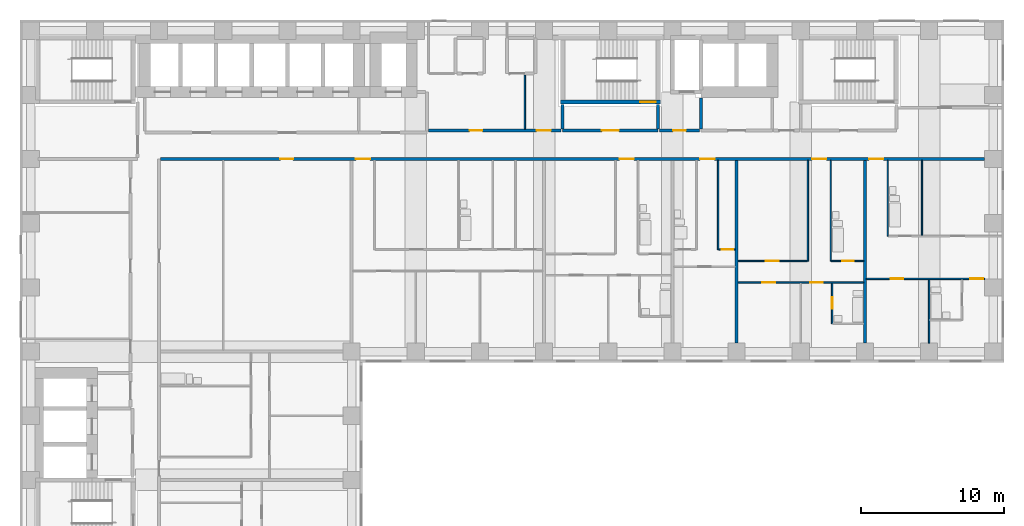
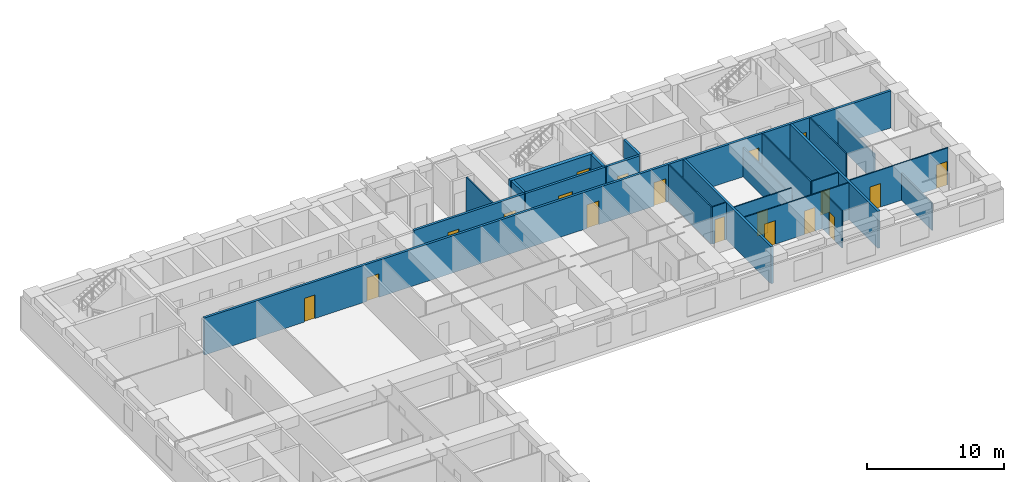
# One storey, part 7 of 12: 23 walls, 19 doors, 19 openings.
"""IFC4 building model written with IfcOpenShell, lengths in metres."""

from ifc_helpers import new_model, si_unit, direction, frame, frame_2d, origin, place, context, subcontext, project, spatial, rectangle, extrude, material, layer, layer_set, type_object, element, fill, save


model = new_model("IFC4")

# Units and contexts
model_context = context("Model", 3, precision=1e-05, world=origin(), true_north=direction((0.0, 1.0)))
body_context = subcontext(model_context, "Body", "Model", "MODEL_VIEW")
ifc_project = project(units=[si_unit("LENGTHUNIT", "METRE"), si_unit("AREAUNIT", "SQUARE_METRE"), si_unit("VOLUMEUNIT", "CUBIC_METRE"), si_unit("PLANEANGLEUNIT", "RADIAN"), si_unit("MASSUNIT", "GRAM", prefix="KILO")], contexts=[model_context])

# Site, building, storey
site_placement = place(None, origin())
site = spatial("IfcSite", under=ifc_project, at=site_placement, CompositionType="ELEMENT")
building_placement = place(site_placement, origin())
building = spatial("IfcBuilding", under=site, at=building_placement, Name="Firuza Court", CompositionType="ELEMENT")
storey_placement = place(building_placement, frame((0.0, 0.0, 65.0)))
storey = spatial("IfcBuildingStorey", under=building, at=storey_placement, Name="L15", CompositionType="ELEMENT", Elevation=65.0)

# Wall, opening, door
ifc_material_1 = material(Name="Moisture-resistant gypsum board partition")
ifc_layer_1 = layer(ifc_material_1, 0.10009765625)
ifc_layer_set_1 = layer_set([ifc_layer_1], Name="Moisture-resistant gypsum board partition")
wall_type_1 = type_object("IfcWallType", Name="Bathroom partition 100", PredefinedType="PLUMBINGWALL", material=ifc_layer_set_1)
wall_1_placement = place(storey_placement, frame((56.199951171875, 37.949951171875, 0.0), z_axis=(0.0, 0.0, 1.0), x_axis=(0.0, 1.0, 0.0)))
wall_1 = element("IfcWall", 1, at=wall_1_placement, inside=storey, type_object=wall_type_1, Name="Bathroom partition 100 L15", PredefinedType="PLUMBINGWALL", context=body_context, shape_type="SweptSolid", body=[
    extrude(rectangle(XDim=2.85009765625, YDim=0.10009765625, at=frame_2d((1.425048828125, 0.0))), origin(), (0.0, 0.0, 1.0), 3.300048828125),
])
opening_1_placement = place(wall_1_placement, frame((1.050048828125, 0.0, 0.0)))
opening_1 = element("IfcOpeningElement", 2, at=opening_1_placement, cuts=wall_1, Name="Opening D15044", PredefinedType="OPENING", context=body_context, shape_type="SweptSolid", body=[
    extrude(rectangle(XDim=0.800048828125, YDim=2.10009765625, at=frame_2d((0.39990234375, 1.050048828125))), frame((0.0, 0.06201171875, 0.0), z_axis=(0.0, -1.0, 0.0), x_axis=(1.0, 0.0, 0.0)), (0.0, 0.0, 1.0), 0.1240234375),
])
ifc_material_2 = material(Name="Timber door leaf in hardwood frame", Category="wood")
door_type_1 = type_object("IfcDoorType", Name="Bathroom door 800", OperationType="SINGLE_SWING_LEFT", PredefinedType="DOOR", material=ifc_material_2)
door_1_placement = place(opening_1_placement, frame((0.800048828125, 0.0, 0.0), z_axis=(0.0, 0.0, 1.0), x_axis=(-1.0, 0.0, 0.0)))
door_1 = element("IfcDoor", 3, at=door_1_placement, inside=storey, type_object=door_type_1, Name="En-suite door", OperationType="SINGLE_SWING_RIGHT", OverallHeight=2.10009765625, OverallWidth=0.800048828125, PredefinedType="DOOR", context=body_context, shape_type="SweptSolid", body=[
    extrude(rectangle(XDim=0.800048828125, YDim=2.10009765625, at=frame_2d((0.39990234375, 1.050048828125))), frame((0.0, 0.02490234375, 0.0), z_axis=(0.0, -1.0, 0.0), x_axis=(1.0, 0.0, 0.0)), (0.0, 0.0, 1.0), 0.050048828125),
])
fill(opening_1, door_1)

# Walls
wall_2_placement = place(storey_placement, frame((56.10009765625, 42.35009765625, 0.0), z_axis=(0.0, 0.0, 1.0), x_axis=(0.0, 1.0, 0.0)))
element("IfcWall", 4, at=wall_2_placement, inside=storey, type_object=wall_type_1, Name="Bathroom partition 100 L15", PredefinedType="PLUMBINGWALL", context=body_context, shape_type="SweptSolid", body=[
    extrude(rectangle(XDim=7.0498046875, YDim=0.10009765625, at=frame_2d((3.52490234375, 0.0))), origin(), (0.0, 0.0, 1.0), 3.300048828125),
])
wall_3_placement = place(storey_placement, frame((60.10009765625, 44.10009765625, 0.0), z_axis=(0.0, 0.0, 1.0), x_axis=(0.0, 1.0, 0.0)))
element("IfcWall", 5, at=wall_3_placement, inside=storey, type_object=wall_type_1, Name="Bathroom partition 100 L15", PredefinedType="PLUMBINGWALL", context=body_context, shape_type="SweptSolid", body=[
    extrude(rectangle(XDim=5.2998046875, YDim=0.10009765625, at=frame_2d((2.64990234375, 0.0))), origin(), (0.0, 0.0, 1.0), 3.300048828125),
])
wall_4_placement = place(storey_placement, frame((62.5, 44.14990234375, 0.0), z_axis=(0.0, 0.0, 1.0), x_axis=(0.0, 1.0, 0.0)))
element("IfcWall", 6, at=wall_4_placement, inside=storey, type_object=wall_type_1, Name="Bathroom partition 100 L15", PredefinedType="PLUMBINGWALL", context=body_context, shape_type="SweptSolid", body=[
    extrude(rectangle(XDim=5.25, YDim=0.10009765625, at=frame_2d((2.625, 0.0))), origin(), (0.0, 0.0, 1.0), 2.39990234375),
])

# Wall, opening, door
ifc_material_3 = material(Name="Concrete C60/75", Category="concrete")
ifc_layer_2 = layer(ifc_material_3, 0.300048828125)
ifc_layer_set_2 = layer_set([ifc_layer_2], Name="Concrete C60/75")
wall_type_2 = type_object("IfcWallType", Name="Core wall 300 C60/75", PredefinedType="SHEAR", material=ifc_layer_set_2)
wall_5_placement = place(storey_placement, frame((37.14990234375, 53.5, -0.300048828125), z_axis=(0.0, 0.0, 1.0), x_axis=(1.0, 0.0, 0.0)))
wall_5 = element("IfcWall", 7, at=wall_5_placement, inside=storey, type_object=wall_type_2, Name="Core wall stair L15", PredefinedType="SHEAR", context=body_context, shape_type="SweptSolid", body=[
    extrude(rectangle(XDim=7.0, YDim=0.300048828125, at=frame_2d((3.5, 0.0))), origin(), (0.0, 0.0, 1.0), 3.60009765625),
])
opening_2_placement = place(wall_5_placement, frame((5.580078125, 0.0, 0.300048828125)))
opening_2 = element("IfcOpeningElement", 8, at=opening_2_placement, cuts=wall_5, Name="Opening D15013", PredefinedType="OPENING", context=body_context, shape_type="SweptSolid", body=[
    extrude(rectangle(XDim=1.10009765625, YDim=2.10009765625, at=frame_2d((0.550048828125, 1.050048828125))), frame((0.0, 0.162109375, 0.0), z_axis=(0.0, -1.0, 0.0), x_axis=(1.0, 0.0, 0.0)), (0.0, 0.0, 1.0), 0.323974609375),
])
ifc_material_4 = material(Name="Timber door leaf in hardwood frame", Category="wood")
door_type_2 = type_object("IfcDoorType", Name="Stair door 1100", OperationType="SINGLE_SWING_LEFT", PredefinedType="DOOR", material=ifc_material_4)
door_2_placement = place(opening_2_placement, origin())
door_2 = element("IfcDoor", 9, at=door_2_placement, inside=storey, type_object=door_type_2, Name="Stair door S1", OperationType="SINGLE_SWING_RIGHT", OverallHeight=2.10009765625, OverallWidth=1.10009765625, PredefinedType="DOOR", context=body_context, shape_type="SweptSolid", body=[
    extrude(rectangle(XDim=1.10009765625, YDim=2.10009765625, at=frame_2d((0.550048828125, 1.050048828125))), frame((0.0, 0.02490234375, 0.0), z_axis=(0.0, -1.0, 0.0), x_axis=(1.0, 0.0, 0.0)), (0.0, 0.0, 1.0), 0.050048828125),
])
fill(opening_2, door_2)

# Wall, openings, doors
ifc_material_5 = material(Name="Blockwork, plastered both sides", Category="masonry")
ifc_layer_3 = layer(ifc_material_5, 0.199951171875)
ifc_layer_set_3 = layer_set([ifc_layer_3], Name="Blockwork, plastered both sides")
wall_type_3 = type_object("IfcWallType", Name="Corridor wall 200", PredefinedType="PARTITIONING", material=ifc_layer_set_3)
wall_6_placement = place(storey_placement, frame((9.10009765625, 49.5, 0.0), z_axis=(0.0, 0.0, 1.0), x_axis=(1.0, 0.0, 0.0)))
wall_6 = element("IfcWall", 10, at=wall_6_placement, inside=storey, type_object=wall_type_3, Name="Corridor wall 200 L15", PredefinedType="PARTITIONING", context=body_context, shape_type="SweptSolid", body=[
    extrude(rectangle(XDim=57.7998046875, YDim=0.199951171875, at=frame_2d((28.89990234375, 0.0))), origin(), (0.0, 0.0, 1.0), 3.300048828125),
])
opening_3_placement = place(wall_6_placement, frame((13.699951171875, 0.0, 0.0)))
opening_3 = element("IfcOpeningElement", 11, at=opening_3_placement, cuts=wall_6, Name="Opening D15069", PredefinedType="OPENING", context=body_context, shape_type="SweptSolid", body=[
    extrude(rectangle(XDim=1.0, YDim=2.10009765625, at=frame_2d((0.5, 1.050048828125))), frame((0.0, 0.11181640625, 0.0), z_axis=(0.0, -1.0, 0.0), x_axis=(1.0, 0.0, 0.0)), (0.0, 0.0, 1.0), 0.223876953125),
])
opening_4_placement = place(wall_6_placement, frame((32.199951171875, 0.0, 0.0)))
opening_4 = element("IfcOpeningElement", 12, at=opening_4_placement, cuts=wall_6, Name="Opening D15070", PredefinedType="OPENING", context=body_context, shape_type="SweptSolid", body=[
    extrude(rectangle(XDim=1.0, YDim=2.10009765625, at=frame_2d((0.5, 1.050048828125))), frame((0.0, 0.11181640625, 0.0), z_axis=(0.0, -1.0, 0.0), x_axis=(1.0, 0.0, 0.0)), (0.0, 0.0, 1.0), 0.223876953125),
])
opening_5_placement = place(wall_6_placement, frame((37.85009765625, 0.0, 0.0)))
opening_5 = element("IfcOpeningElement", 13, at=opening_5_placement, cuts=wall_6, Name="Opening D15071", PredefinedType="OPENING", context=body_context, shape_type="SweptSolid", body=[
    extrude(rectangle(XDim=1.0, YDim=2.10009765625, at=frame_2d((0.5, 1.050048828125))), frame((0.0, 0.11181640625, 0.0), z_axis=(0.0, -1.0, 0.0), x_axis=(1.0, 0.0, 0.0)), (0.0, 0.0, 1.0), 0.223876953125),
])
opening_6_placement = place(wall_6_placement, frame((45.699951171875, 0.0, 0.0)))
opening_6 = element("IfcOpeningElement", 14, at=opening_6_placement, cuts=wall_6, Name="Opening D15072", PredefinedType="OPENING", context=body_context, shape_type="SweptSolid", body=[
    extrude(rectangle(XDim=1.0, YDim=2.10009765625, at=frame_2d((0.5, 1.050048828125))), frame((0.0, 0.11181640625, 0.0), z_axis=(0.0, -1.0, 0.0), x_axis=(1.0, 0.0, 0.0)), (0.0, 0.0, 1.0), 0.223876953125),
])
opening_7_placement = place(wall_6_placement, frame((49.699951171875, 0.0, 0.0)))
opening_7 = element("IfcOpeningElement", 15, at=opening_7_placement, cuts=wall_6, Name="Opening D15073", PredefinedType="OPENING", context=body_context, shape_type="SweptSolid", body=[
    extrude(rectangle(XDim=1.0, YDim=2.10009765625, at=frame_2d((0.5, 1.050048828125))), frame((0.0, 0.11181640625, 0.0), z_axis=(0.0, -1.0, 0.0), x_axis=(1.0, 0.0, 0.0)), (0.0, 0.0, 1.0), 0.223876953125),
])
opening_8_placement = place(wall_6_placement, frame((8.39990234375, 0.0, 0.0)))
opening_8 = element("IfcOpeningElement", 16, at=opening_8_placement, cuts=wall_6, Name="Opening D15074", PredefinedType="OPENING", context=body_context, shape_type="SweptSolid", body=[
    extrude(rectangle(XDim=0.89990234375, YDim=2.10009765625, at=frame_2d((0.449951171875, 1.050048828125))), frame((0.0, 0.11181640625, 0.0), z_axis=(0.0, -1.0, 0.0), x_axis=(1.0, 0.0, 0.0)), (0.0, 0.0, 1.0), 0.223876953125),
])
ifc_material_6 = material(Name="Timber door leaf in hardwood frame", Category="wood")
door_type_3 = type_object("IfcDoorType", Name="Flat entrance door 1000", OperationType="SINGLE_SWING_LEFT", PredefinedType="DOOR", material=ifc_material_6)
door_3_placement = place(opening_3_placement, origin())
door_3 = element("IfcDoor", 17, at=door_3_placement, inside=storey, type_object=door_type_3, Name="Flat entrance door", OperationType="SINGLE_SWING_LEFT", OverallHeight=2.10009765625, OverallWidth=1.0, PredefinedType="DOOR", context=body_context, shape_type="SweptSolid", body=[
    extrude(rectangle(XDim=1.0, YDim=2.10009765625, at=frame_2d((0.5, 1.050048828125))), frame((0.0, 0.02490234375, 0.0), z_axis=(0.0, -1.0, 0.0), x_axis=(1.0, 0.0, 0.0)), (0.0, 0.0, 1.0), 0.050048828125),
])
fill(opening_3, door_3)
door_4_placement = place(opening_4_placement, origin())
door_4 = element("IfcDoor", 18, at=door_4_placement, inside=storey, type_object=door_type_3, Name="Flat entrance door", OperationType="SINGLE_SWING_LEFT", OverallHeight=2.10009765625, OverallWidth=1.0, PredefinedType="DOOR", context=body_context, shape_type="SweptSolid", body=[
    extrude(rectangle(XDim=1.0, YDim=2.10009765625, at=frame_2d((0.5, 1.050048828125))), frame((0.0, 0.02490234375, 0.0), z_axis=(0.0, -1.0, 0.0), x_axis=(1.0, 0.0, 0.0)), (0.0, 0.0, 1.0), 0.050048828125),
])
fill(opening_4, door_4)
door_5_placement = place(opening_5_placement, origin())
door_5 = element("IfcDoor", 19, at=door_5_placement, inside=storey, type_object=door_type_3, Name="Flat entrance door", OperationType="SINGLE_SWING_LEFT", OverallHeight=2.10009765625, OverallWidth=1.0, PredefinedType="DOOR", context=body_context, shape_type="SweptSolid", body=[
    extrude(rectangle(XDim=1.0, YDim=2.10009765625, at=frame_2d((0.5, 1.050048828125))), frame((0.0, 0.02490234375, 0.0), z_axis=(0.0, -1.0, 0.0), x_axis=(1.0, 0.0, 0.0)), (0.0, 0.0, 1.0), 0.050048828125),
])
fill(opening_5, door_5)
door_6_placement = place(opening_6_placement, origin())
door_6 = element("IfcDoor", 20, at=door_6_placement, inside=storey, type_object=door_type_3, Name="Flat entrance door", OperationType="SINGLE_SWING_LEFT", OverallHeight=2.10009765625, OverallWidth=1.0, PredefinedType="DOOR", context=body_context, shape_type="SweptSolid", body=[
    extrude(rectangle(XDim=1.0, YDim=2.10009765625, at=frame_2d((0.5, 1.050048828125))), frame((0.0, 0.02490234375, 0.0), z_axis=(0.0, -1.0, 0.0), x_axis=(1.0, 0.0, 0.0)), (0.0, 0.0, 1.0), 0.050048828125),
])
fill(opening_6, door_6)
door_7_placement = place(opening_7_placement, origin())
door_7 = element("IfcDoor", 21, at=door_7_placement, inside=storey, type_object=door_type_3, Name="Flat entrance door", OperationType="SINGLE_SWING_LEFT", OverallHeight=2.10009765625, OverallWidth=1.0, PredefinedType="DOOR", context=body_context, shape_type="SweptSolid", body=[
    extrude(rectangle(XDim=1.0, YDim=2.10009765625, at=frame_2d((0.5, 1.050048828125))), frame((0.0, 0.02490234375, 0.0), z_axis=(0.0, -1.0, 0.0), x_axis=(1.0, 0.0, 0.0)), (0.0, 0.0, 1.0), 0.050048828125),
])
fill(opening_7, door_7)
ifc_material_7 = material(Name="Timber door leaf in hardwood frame", Category="wood")
door_type_4 = type_object("IfcDoorType", Name="Room door 900 EI 30", OperationType="SINGLE_SWING_LEFT", PredefinedType="DOOR", material=ifc_material_7)
door_8_placement = place(opening_8_placement, origin())
door_8 = element("IfcDoor", 22, at=door_8_placement, inside=storey, type_object=door_type_4, Name="Residents' lounge door", OperationType="SINGLE_SWING_LEFT", OverallHeight=2.10009765625, OverallWidth=0.89990234375, PredefinedType="DOOR", context=body_context, shape_type="SweptSolid", body=[
    extrude(rectangle(XDim=0.89990234375, YDim=2.10009765625, at=frame_2d((0.449951171875, 1.050048828125))), frame((0.0, 0.02490234375, 0.0), z_axis=(0.0, -1.0, 0.0), x_axis=(1.0, 0.0, 0.0)), (0.0, 0.0, 1.0), 0.050048828125),
])
fill(opening_8, door_8)

wall_7_placement = place(storey_placement, frame((27.89990234375, 51.5, 0.0), z_axis=(0.0, 0.0, 1.0), x_axis=(1.0, 0.0, 0.0)))
wall_7 = element("IfcWall", 23, at=wall_7_placement, inside=storey, type_object=wall_type_3, Name="Corridor wall 200 L15", PredefinedType="PARTITIONING", context=body_context, shape_type="SweptSolid", body=[
    extrude(rectangle(XDim=9.300048828125, YDim=0.199951171875, at=frame_2d((4.64990234375, 0.0))), origin(), (0.0, 0.0, 1.0), 3.300048828125),
])
opening_9_placement = place(wall_7_placement, frame((2.875, 0.0, 0.0)))
opening_9 = element("IfcOpeningElement", 24, at=opening_9_placement, cuts=wall_7, Name="Opening D15075", PredefinedType="OPENING", context=body_context, shape_type="SweptSolid", body=[
    extrude(rectangle(XDim=0.89990234375, YDim=2.10009765625, at=frame_2d((0.449951171875, 1.050048828125))), frame((0.0, 0.11181640625, 0.0), z_axis=(0.0, -1.0, 0.0), x_axis=(1.0, 0.0, 0.0)), (0.0, 0.0, 1.0), 0.223876953125),
])
opening_10_placement = place(wall_7_placement, frame((7.574951171875, 0.0, 0.0)))
opening_10 = element("IfcOpeningElement", 25, at=opening_10_placement, cuts=wall_7, Name="Opening D15076", PredefinedType="OPENING", context=body_context, shape_type="SweptSolid", body=[
    extrude(rectangle(XDim=1.0, YDim=2.10009765625, at=frame_2d((0.5, 1.050048828125))), frame((0.0, 0.11181640625, 0.0), z_axis=(0.0, -1.0, 0.0), x_axis=(1.0, 0.0, 0.0)), (0.0, 0.0, 1.0), 0.223876953125),
])
door_9_placement = place(opening_9_placement, origin())
door_9 = element("IfcDoor", 26, at=door_9_placement, inside=storey, type_object=door_type_4, Name="Meeting room door", OperationType="SINGLE_SWING_LEFT", OverallHeight=2.10009765625, OverallWidth=0.89990234375, PredefinedType="DOOR", context=body_context, shape_type="SweptSolid", body=[
    extrude(rectangle(XDim=0.89990234375, YDim=2.10009765625, at=frame_2d((0.449951171875, 1.050048828125))), frame((0.0, 0.02490234375, 0.0), z_axis=(0.0, -1.0, 0.0), x_axis=(1.0, 0.0, 0.0)), (0.0, 0.0, 1.0), 0.050048828125),
])
fill(opening_9, door_9)
ifc_material_8 = material(Name="Timber door leaf in hardwood frame", Category="wood")
door_type_5 = type_object("IfcDoorType", Name="Store door 1000", OperationType="SINGLE_SWING_LEFT", PredefinedType="DOOR", material=ifc_material_8)
door_10_placement = place(opening_10_placement, origin())
door_10 = element("IfcDoor", 27, at=door_10_placement, inside=storey, type_object=door_type_5, Name="Cleaner's store door", OperationType="SINGLE_SWING_LEFT", OverallHeight=2.10009765625, OverallWidth=1.0, PredefinedType="DOOR", context=body_context, shape_type="SweptSolid", body=[
    extrude(rectangle(XDim=1.0, YDim=2.10009765625, at=frame_2d((0.5, 1.050048828125))), frame((0.0, 0.02490234375, 0.0), z_axis=(0.0, -1.0, 0.0), x_axis=(1.0, 0.0, 0.0)), (0.0, 0.0, 1.0), 0.050048828125),
])
fill(opening_10, door_10)

# Wall, opening, door
wall_8_placement = place(storey_placement, frame((44.10009765625, 51.5, 0.0), z_axis=(0.0, 0.0, 1.0), x_axis=(1.0, 0.0, 0.0)))
wall_8 = element("IfcWall", 28, at=wall_8_placement, inside=storey, type_object=wall_type_3, Name="Corridor wall 200 L15", PredefinedType="PARTITIONING", context=body_context, shape_type="SweptSolid", body=[
    extrude(rectangle(XDim=2.7998046875, YDim=0.199951171875, at=frame_2d((1.39990234375, 0.0))), origin(), (0.0, 0.0, 1.0), 3.300048828125),
])
opening_11_placement = place(wall_8_placement, frame((0.949951171875, 0.0, 0.0)))
opening_11 = element("IfcOpeningElement", 29, at=opening_11_placement, cuts=wall_8, Name="Opening D15077", PredefinedType="OPENING", context=body_context, shape_type="SweptSolid", body=[
    extrude(rectangle(XDim=0.89990234375, YDim=2.10009765625, at=frame_2d((0.449951171875, 1.050048828125))), frame((0.0, 0.11181640625, 0.0), z_axis=(0.0, -1.0, 0.0), x_axis=(1.0, 0.0, 0.0)), (0.0, 0.0, 1.0), 0.223876953125),
])
door_11_placement = place(opening_11_placement, origin())
door_11 = element("IfcDoor", 30, at=door_11_placement, inside=storey, type_object=door_type_4, Name="Concierge room door", OperationType="SINGLE_SWING_LEFT", OverallHeight=2.10009765625, OverallWidth=0.89990234375, PredefinedType="DOOR", context=body_context, shape_type="SweptSolid", body=[
    extrude(rectangle(XDim=0.89990234375, YDim=2.10009765625, at=frame_2d((0.449951171875, 1.050048828125))), frame((0.0, 0.02490234375, 0.0), z_axis=(0.0, -1.0, 0.0), x_axis=(1.0, 0.0, 0.0)), (0.0, 0.0, 1.0), 0.050048828125),
])
fill(opening_11, door_11)

# Wall
ifc_material_9 = material(Name="Timber stud partition, plasterboard both sides", Category="wood")
ifc_layer_4 = layer(ifc_material_9, 0.10009765625)
ifc_layer_set_4 = layer_set([ifc_layer_4], Name="Timber stud partition, plasterboard both sides")
wall_type_4 = type_object("IfcWallType", Name="Partition wall 100", PredefinedType="PARTITIONING", material=ifc_layer_set_4)
wall_9_placement = place(storey_placement, frame((63.0, 36.60009765625, 0.0), z_axis=(0.0, 0.0, 1.0), x_axis=(0.0, 1.0, 0.0)))
element("IfcWall", 31, at=wall_9_placement, inside=storey, type_object=wall_type_4, Name="Partition wall 100 L15", PredefinedType="PARTITIONING", context=body_context, shape_type="SweptSolid", body=[
    extrude(rectangle(XDim=4.449951171875, YDim=0.10009765625, at=frame_2d((2.22509765625, 0.0))), origin(), (0.0, 0.0, 1.0), 2.39990234375),
])

# Wall, openings, doors
wall_10_placement = place(storey_placement, frame((49.60009765625, 40.85009765625, 0.0), z_axis=(0.0, 0.0, 1.0), x_axis=(1.0, 0.0, 0.0)))
wall_10 = element("IfcWall", 32, at=wall_10_placement, inside=storey, type_object=wall_type_4, Name="Partition wall 100 L15", PredefinedType="PARTITIONING", context=body_context, shape_type="SweptSolid", body=[
    extrude(rectangle(XDim=8.7998046875, YDim=0.10009765625, at=frame_2d((4.39990234375, 0.0))), origin(), (0.0, 0.0, 1.0), 3.300048828125),
])
opening_12_placement = place(wall_10_placement, frame((1.699951171875, 0.0, 0.0)))
opening_12 = element("IfcOpeningElement", 33, at=opening_12_placement, cuts=wall_10, Name="Opening D15047", PredefinedType="OPENING", context=body_context, shape_type="SweptSolid", body=[
    extrude(rectangle(XDim=0.89990234375, YDim=2.10009765625, at=frame_2d((0.449951171875, 1.050048828125))), frame((0.0, 0.06201171875, 0.0), z_axis=(0.0, -1.0, 0.0), x_axis=(1.0, 0.0, 0.0)), (0.0, 0.0, 1.0), 0.1240234375),
])
opening_13_placement = place(wall_10_placement, frame((5.050048828125, 0.0, 0.0)))
opening_13 = element("IfcOpeningElement", 34, at=opening_13_placement, cuts=wall_10, Name="Opening D15048", PredefinedType="OPENING", context=body_context, shape_type="SweptSolid", body=[
    extrude(rectangle(XDim=0.89990234375, YDim=2.10009765625, at=frame_2d((0.449951171875, 1.050048828125))), frame((0.0, 0.06201171875, 0.0), z_axis=(0.0, -1.0, 0.0), x_axis=(1.0, 0.0, 0.0)), (0.0, 0.0, 1.0), 0.1240234375),
])
ifc_material_10 = material(Name="Timber door leaf in hardwood frame", Category="wood")
door_type_6 = type_object("IfcDoorType", Name="Room door 900", OperationType="SINGLE_SWING_LEFT", PredefinedType="DOOR", material=ifc_material_10)
door_12_placement = place(opening_12_placement, frame((0.89990234375, 0.0, 0.0), z_axis=(0.0, 0.0, 1.0), x_axis=(-1.0, 0.0, 0.0)))
door_12 = element("IfcDoor", 35, at=door_12_placement, inside=storey, type_object=door_type_6, Name="Living room door", OperationType="SINGLE_SWING_RIGHT", OverallHeight=2.10009765625, OverallWidth=0.89990234375, PredefinedType="DOOR", context=body_context, shape_type="SweptSolid", body=[
    extrude(rectangle(XDim=0.89990234375, YDim=2.10009765625, at=frame_2d((0.449951171875, 1.050048828125))), frame((0.0, 0.02490234375, 0.0), z_axis=(0.0, -1.0, 0.0), x_axis=(1.0, 0.0, 0.0)), (0.0, 0.0, 1.0), 0.050048828125),
])
fill(opening_12, door_12)
door_13_placement = place(opening_13_placement, frame((0.89990234375, 0.0, 0.0), z_axis=(0.0, 0.0, 1.0), x_axis=(-1.0, 0.0, 0.0)))
door_13 = element("IfcDoor", 36, at=door_13_placement, inside=storey, type_object=door_type_6, Name="Bedroom door", OperationType="SINGLE_SWING_RIGHT", OverallHeight=2.10009765625, OverallWidth=0.89990234375, PredefinedType="DOOR", context=body_context, shape_type="SweptSolid", body=[
    extrude(rectangle(XDim=0.89990234375, YDim=2.10009765625, at=frame_2d((0.449951171875, 1.050048828125))), frame((0.0, 0.02490234375, 0.0), z_axis=(0.0, -1.0, 0.0), x_axis=(1.0, 0.0, 0.0)), (0.0, 0.0, 1.0), 0.050048828125),
])
fill(opening_13, door_13)

wall_11_placement = place(storey_placement, frame((58.60009765625, 41.10009765625, 0.0), z_axis=(0.0, 0.0, 1.0), x_axis=(1.0, 0.0, 0.0)))
wall_11 = element("IfcWall", 37, at=wall_11_placement, inside=storey, type_object=wall_type_4, Name="Partition wall 100 L15", PredefinedType="PARTITIONING", context=body_context, shape_type="SweptSolid", body=[
    extrude(rectangle(XDim=8.2998046875, YDim=0.10009765625, at=frame_2d((4.14990234375, 0.0))), origin(), (0.0, 0.0, 1.0), 3.300048828125),
])
opening_14_placement = place(wall_11_placement, frame((1.699951171875, 0.0, 0.0)))
opening_14 = element("IfcOpeningElement", 38, at=opening_14_placement, cuts=wall_11, Name="Opening D15049", PredefinedType="OPENING", context=body_context, shape_type="SweptSolid", body=[
    extrude(rectangle(XDim=0.89990234375, YDim=2.10009765625, at=frame_2d((0.449951171875, 1.050048828125))), frame((0.0, 0.06201171875, 0.0), z_axis=(0.0, -1.0, 0.0), x_axis=(1.0, 0.0, 0.0)), (0.0, 0.0, 1.0), 0.1240234375),
])
opening_15_placement = place(wall_11_placement, frame((7.300048828125, 0.0, 0.0)))
opening_15 = element("IfcOpeningElement", 39, at=opening_15_placement, cuts=wall_11, Name="Opening D15050", PredefinedType="OPENING", context=body_context, shape_type="SweptSolid", body=[
    extrude(rectangle(XDim=0.89990234375, YDim=2.10009765625, at=frame_2d((0.449951171875, 1.050048828125))), frame((0.0, 0.06201171875, 0.0), z_axis=(0.0, -1.0, 0.0), x_axis=(1.0, 0.0, 0.0)), (0.0, 0.0, 1.0), 0.1240234375),
])
door_14_placement = place(opening_14_placement, frame((0.89990234375, 0.0, 0.0), z_axis=(0.0, 0.0, 1.0), x_axis=(-1.0, 0.0, 0.0)))
door_14 = element("IfcDoor", 40, at=door_14_placement, inside=storey, type_object=door_type_6, Name="Living room door", OperationType="SINGLE_SWING_RIGHT", OverallHeight=2.10009765625, OverallWidth=0.89990234375, PredefinedType="DOOR", context=body_context, shape_type="SweptSolid", body=[
    extrude(rectangle(XDim=0.89990234375, YDim=2.10009765625, at=frame_2d((0.449951171875, 1.050048828125))), frame((0.0, 0.02490234375, 0.0), z_axis=(0.0, -1.0, 0.0), x_axis=(1.0, 0.0, 0.0)), (0.0, 0.0, 1.0), 0.050048828125),
])
fill(opening_14, door_14)
door_15_placement = place(opening_15_placement, frame((0.89990234375, 0.0, 0.0), z_axis=(0.0, 0.0, 1.0), x_axis=(-1.0, 0.0, 0.0)))
door_15 = element("IfcDoor", 41, at=door_15_placement, inside=storey, type_object=door_type_6, Name="Bedroom door", OperationType="SINGLE_SWING_LEFT", OverallHeight=2.10009765625, OverallWidth=0.89990234375, PredefinedType="DOOR", context=body_context, shape_type="SweptSolid", body=[
    extrude(rectangle(XDim=0.89990234375, YDim=2.10009765625, at=frame_2d((0.449951171875, 1.050048828125))), frame((0.0, 0.02490234375, 0.0), z_axis=(0.0, -1.0, 0.0), x_axis=(1.0, 0.0, 0.0)), (0.0, 0.0, 1.0), 0.050048828125),
])
fill(opening_15, door_15)

# Wall, opening, door
wall_12_placement = place(storey_placement, frame((49.60009765625, 42.35009765625, 0.0), z_axis=(0.0, 0.0, 1.0), x_axis=(1.0, 0.0, 0.0)))
wall_12 = element("IfcWall", 42, at=wall_12_placement, inside=storey, type_object=wall_type_4, Name="Partition wall 100 L15", PredefinedType="PARTITIONING", context=body_context, shape_type="SweptSolid", body=[
    extrude(rectangle(XDim=4.849853515625, YDim=0.10009765625, at=frame_2d((2.4248046875, 0.0))), origin(), (0.0, 0.0, 1.0), 3.300048828125),
])
opening_16_placement = place(wall_12_placement, frame((1.949951171875, 0.0, 0.0)))
opening_16 = element("IfcOpeningElement", 43, at=opening_16_placement, cuts=wall_12, Name="Opening D15057", PredefinedType="OPENING", context=body_context, shape_type="SweptSolid", body=[
    extrude(rectangle(XDim=0.89990234375, YDim=2.10009765625, at=frame_2d((0.449951171875, 1.050048828125))), frame((0.0, 0.06201171875, 0.0), z_axis=(0.0, -1.0, 0.0), x_axis=(1.0, 0.0, 0.0)), (0.0, 0.0, 1.0), 0.1240234375),
])
door_16_placement = place(opening_16_placement, origin())
door_16 = element("IfcDoor", 44, at=door_16_placement, inside=storey, type_object=door_type_6, Name="Kitchen door", OperationType="SINGLE_SWING_LEFT", OverallHeight=2.10009765625, OverallWidth=0.89990234375, PredefinedType="DOOR", context=body_context, shape_type="SweptSolid", body=[
    extrude(rectangle(XDim=0.89990234375, YDim=2.10009765625, at=frame_2d((0.449951171875, 1.050048828125))), frame((0.0, 0.02490234375, 0.0), z_axis=(0.0, -1.0, 0.0), x_axis=(1.0, 0.0, 0.0)), (0.0, 0.0, 1.0), 0.050048828125),
])
fill(opening_16, door_16)

# Wall
wall_13_placement = place(storey_placement, frame((54.5, 42.35009765625, 0.0), z_axis=(0.0, 0.0, 1.0), x_axis=(0.0, 1.0, 0.0)))
element("IfcWall", 45, at=wall_13_placement, inside=storey, type_object=wall_type_4, Name="Partition wall 100 L15", PredefinedType="PARTITIONING", context=body_context, shape_type="SweptSolid", body=[
    extrude(rectangle(XDim=7.0498046875, YDim=0.10009765625, at=frame_2d((3.52490234375, 0.0))), origin(), (0.0, 0.0, 1.0), 2.60009765625),
])

# Wall, opening, door
wall_14_placement = place(storey_placement, frame((56.14990234375, 42.35009765625, 0.0), z_axis=(0.0, 0.0, 1.0), x_axis=(1.0, 0.0, 0.0)))
wall_14 = element("IfcWall", 46, at=wall_14_placement, inside=storey, type_object=wall_type_4, Name="Partition wall 100 L15", PredefinedType="PARTITIONING", context=body_context, shape_type="SweptSolid", body=[
    extrude(rectangle(XDim=2.25, YDim=0.10009765625, at=frame_2d((1.125, 0.0))), origin(), (0.0, 0.0, 1.0), 3.300048828125),
])
opening_17_placement = place(wall_14_placement, frame((0.75, 0.0, 0.0)))
opening_17 = element("IfcOpeningElement", 47, at=opening_17_placement, cuts=wall_14, Name="Opening D15058", PredefinedType="OPENING", context=body_context, shape_type="SweptSolid", body=[
    extrude(rectangle(XDim=0.800048828125, YDim=2.10009765625, at=frame_2d((0.39990234375, 1.050048828125))), frame((0.0, 0.06201171875, 0.0), z_axis=(0.0, -1.0, 0.0), x_axis=(1.0, 0.0, 0.0)), (0.0, 0.0, 1.0), 0.1240234375),
])
door_17_placement = place(opening_17_placement, origin())
door_17 = element("IfcDoor", 48, at=door_17_placement, inside=storey, type_object=door_type_1, Name="Bathroom door", OperationType="SINGLE_SWING_LEFT", OverallHeight=2.10009765625, OverallWidth=0.800048828125, PredefinedType="DOOR", context=body_context, shape_type="SweptSolid", body=[
    extrude(rectangle(XDim=0.800048828125, YDim=2.10009765625, at=frame_2d((0.39990234375, 1.050048828125))), frame((0.0, 0.02490234375, 0.0), z_axis=(0.0, -1.0, 0.0), x_axis=(1.0, 0.0, 0.0)), (0.0, 0.0, 1.0), 0.050048828125),
])
fill(opening_17, door_17)

# Wall
wall_15_placement = place(storey_placement, frame((48.199951171875, 43.14990234375, 0.0), z_axis=(0.0, 0.0, 1.0), x_axis=(0.0, 1.0, 0.0)))
element("IfcWall", 49, at=wall_15_placement, inside=storey, type_object=wall_type_4, Name="Partition wall 100 L15", PredefinedType="PARTITIONING", context=body_context, shape_type="SweptSolid", body=[
    extrude(rectangle(XDim=6.25, YDim=0.10009765625, at=frame_2d((3.125, 0.0))), origin(), (0.0, 0.0, 1.0), 3.300048828125),
])

# Wall, opening, door
wall_16_placement = place(storey_placement, frame((48.25, 43.14990234375, 0.0), z_axis=(0.0, 0.0, 1.0), x_axis=(1.0, 0.0, 0.0)))
wall_16 = element("IfcWall", 50, at=wall_16_placement, inside=storey, type_object=wall_type_4, Name="Partition wall 100 L15", PredefinedType="PARTITIONING", context=body_context, shape_type="SweptSolid", body=[
    extrude(rectangle(XDim=1.14990234375, YDim=0.10009765625, at=frame_2d((0.574951171875, 0.0))), origin(), (0.0, 0.0, 1.0), 3.300048828125),
])
opening_18_placement = place(wall_16_placement, frame((0.199951171875, 0.0, 0.0)))
opening_18 = element("IfcOpeningElement", 51, at=opening_18_placement, cuts=wall_16, Name="Opening D15066", PredefinedType="OPENING", context=body_context, shape_type="SweptSolid", body=[
    extrude(rectangle(XDim=0.800048828125, YDim=2.10009765625, at=frame_2d((0.39990234375, 1.050048828125))), frame((0.0, 0.06201171875, 0.0), z_axis=(0.0, -1.0, 0.0), x_axis=(1.0, 0.0, 0.0)), (0.0, 0.0, 1.0), 0.1240234375),
])
ifc_material_11 = material(Name="Timber door leaf in hardwood frame", Category="wood")
door_type_7 = type_object("IfcDoorType", Name="Room door 800", OperationType="SINGLE_SWING_LEFT", PredefinedType="DOOR", material=ifc_material_11)
door_18_placement = place(opening_18_placement, origin())
door_18 = element("IfcDoor", 52, at=door_18_placement, inside=storey, type_object=door_type_7, Name="Kitchen door", OperationType="SINGLE_SWING_LEFT", OverallHeight=2.10009765625, OverallWidth=0.800048828125, PredefinedType="DOOR", context=body_context, shape_type="SweptSolid", body=[
    extrude(rectangle(XDim=0.800048828125, YDim=2.10009765625, at=frame_2d((0.39990234375, 1.050048828125))), frame((0.0, 0.02490234375, 0.0), z_axis=(0.0, -1.0, 0.0), x_axis=(1.0, 0.0, 0.0)), (0.0, 0.0, 1.0), 0.050048828125),
])
fill(opening_18, door_18)

# Walls
wall_17_placement = place(storey_placement, frame((34.64990234375, 51.60009765625, 0.0), z_axis=(0.0, 0.0, 1.0), x_axis=(0.0, 1.0, 0.0)))
element("IfcWall", 53, at=wall_17_placement, inside=storey, type_object=wall_type_4, Name="Partition wall 100 L15", PredefinedType="PARTITIONING", context=body_context, shape_type="SweptSolid", body=[
    extrude(rectangle(XDim=3.7998046875, YDim=0.10009765625, at=frame_2d((1.89990234375, 0.0))), origin(), (0.0, 0.0, 1.0), 3.300048828125),
])
ifc_layer_5 = layer(ifc_material_5, 0.199951171875)
ifc_layer_set_5 = layer_set([ifc_layer_5], Name="Blockwork, plastered both sides")
wall_type_5 = type_object("IfcWallType", Name="Party wall 200", PredefinedType="PARTITIONING", material=ifc_layer_set_5)
for number, where, z_axis, x_axis, name in (
    (54, (49.5, 36.60009765625, 0.0), (0.0, 0.0, 1.0), (0.0, 1.0, 0.0), "Party wall 200 L15"),
    (55, (58.5, 36.60009765625, 0.0), (0.0, 0.0, 1.0), (0.0, 1.0, 0.0), "Party wall 200 L15"),
):
    element("IfcWall", number, at=place(storey_placement, frame(where, z_axis=z_axis, x_axis=x_axis)), inside=storey, type_object=wall_type_5, Name=name, PredefinedType="PARTITIONING", context=body_context, shape_type="SweptSolid", body=[
        extrude(rectangle(XDim=12.7998046875, YDim=0.199951171875, at=frame_2d((6.39990234375, 0.0))), origin(), (0.0, 0.0, 1.0), 3.300048828125),
    ])
ifc_material_12 = material(Name="Blockwork, fire-rated", Category="masonry")
ifc_layer_6 = layer(ifc_material_12, 0.199951171875)
ifc_layer_set_6 = layer_set([ifc_layer_6], Name="Blockwork, fire-rated")
wall_type_6 = type_object("IfcWallType", Name="Shaft wall 200", PredefinedType="PARTITIONING", material=ifc_layer_set_6)
wall_18_placement = place(storey_placement, frame((47.0, 51.60009765625, 0.0), z_axis=(0.0, 0.0, 1.0), x_axis=(0.0, 1.0, 0.0)))
element("IfcWall", 56, at=wall_18_placement, inside=storey, type_object=wall_type_6, Name="Shaft wall 200 L15", PredefinedType="PARTITIONING", context=body_context, shape_type="SweptSolid", body=[
    extrude(rectangle(XDim=2.179931640625, YDim=0.199951171875, at=frame_2d((1.08984375, 0.0))), origin(), (0.0, 0.0, 1.0), 3.300048828125),
])

# Wall, opening, door
wall_19_placement = place(storey_placement, frame((37.300048828125, 51.5, 0.0), z_axis=(0.0, 0.0, 1.0), x_axis=(1.0, 0.0, 0.0)))
wall_19 = element("IfcWall", 57, at=wall_19_placement, inside=storey, type_object=wall_type_6, Name="Shaft wall 200 L15", PredefinedType="PARTITIONING", context=body_context, shape_type="SweptSolid", body=[
    extrude(rectangle(XDim=6.699951171875, YDim=0.199951171875, at=frame_2d((3.35009765625, 0.0))), origin(), (0.0, 0.0, 1.0), 3.300048828125),
])
opening_19_placement = place(wall_19_placement, frame((2.75, 0.0, 0.0)))
opening_19 = element("IfcOpeningElement", 58, at=opening_19_placement, cuts=wall_19, Name="Opening D15006", PredefinedType="OPENING", context=body_context, shape_type="SweptSolid", body=[
    extrude(rectangle(XDim=1.199951171875, YDim=2.10009765625, at=frame_2d((0.60009765625, 1.050048828125))), frame((0.0, 0.11181640625, 0.0), z_axis=(0.0, -1.0, 0.0), x_axis=(1.0, 0.0, 0.0)), (0.0, 0.0, 1.0), 0.223876953125),
])
ifc_material_13 = material(Name="Timber door leaf in hardwood frame", Category="wood")
door_type_8 = type_object("IfcDoorType", Name="Lobby door 1200", OperationType="SINGLE_SWING_LEFT", PredefinedType="DOOR", material=ifc_material_13)
door_19_placement = place(opening_19_placement, origin())
door_19 = element("IfcDoor", 59, at=door_19_placement, inside=storey, type_object=door_type_8, Name="Lobby door", OperationType="SINGLE_SWING_LEFT", OverallHeight=2.10009765625, OverallWidth=1.199951171875, PredefinedType="DOOR", context=body_context, shape_type="SweptSolid", body=[
    extrude(rectangle(XDim=1.199951171875, YDim=2.10009765625, at=frame_2d((0.60009765625, 1.050048828125))), frame((0.0, 0.02490234375, 0.0), z_axis=(0.0, -1.0, 0.0), x_axis=(1.0, 0.0, 0.0)), (0.0, 0.0, 1.0), 0.050048828125),
])
fill(opening_19, door_19)

# Walls
for number, where, z_axis, x_axis, name in (
    (60, (44.0, 51.60009765625, 0.0), (0.0, 0.0, 1.0), (0.0, 1.0, 0.0), "Shaft wall 200 L15"),
    (61, (37.300048828125, 51.60009765625, 0.0), (0.0, 0.0, 1.0), (0.0, 1.0, 0.0), "Shaft wall 200 L15"),
):
    element("IfcWall", number, at=place(storey_placement, frame(where, z_axis=z_axis, x_axis=x_axis)), inside=storey, type_object=wall_type_6, Name=name, PredefinedType="PARTITIONING", context=body_context, shape_type="SweptSolid", body=[
        extrude(rectangle(XDim=1.72998046875, YDim=0.199951171875, at=frame_2d((0.864990234375, 0.0))), origin(), (0.0, 0.0, 1.0), 3.300048828125),
    ])

save(model, "model.ifc")
